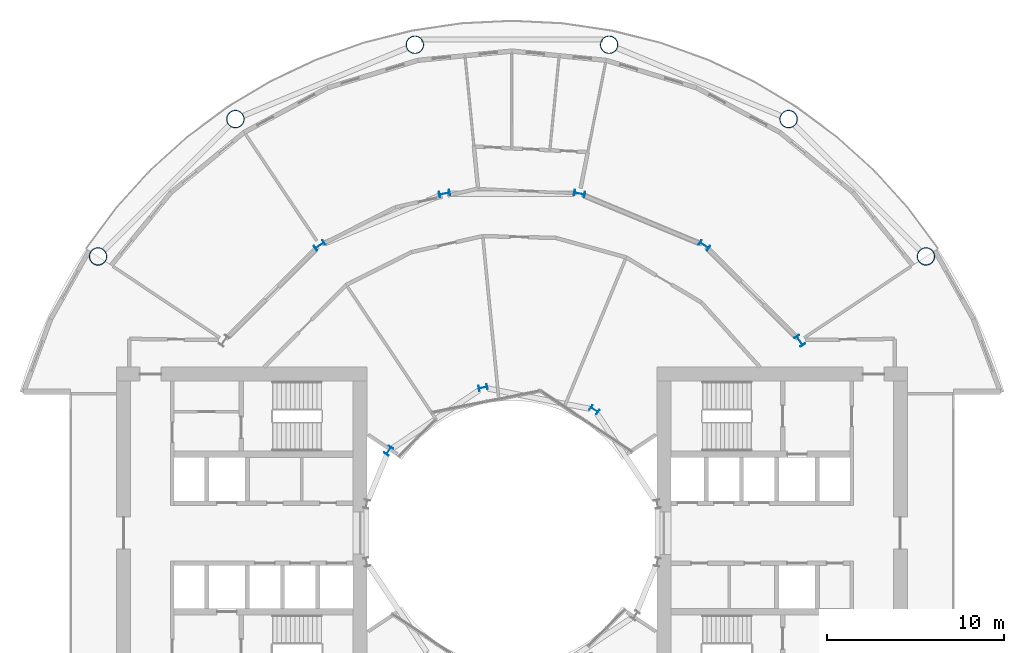
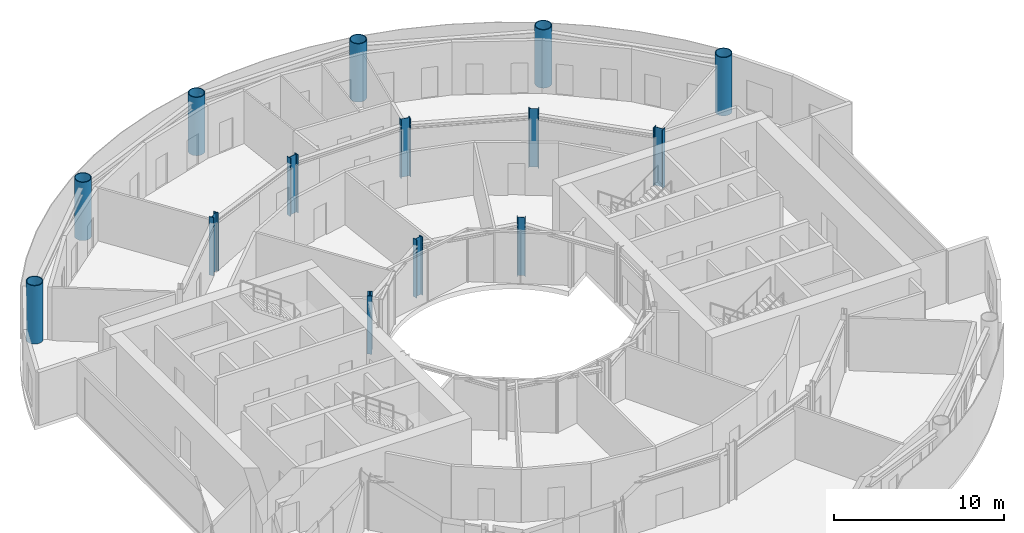
# One storey, part 3 of 19: 14 columns.
"""IFC4 building model written with IfcOpenShell, lengths in metres."""

import ifcopenshell
import ifcopenshell.guid

model = None  # the IFC model being written
_history = None  # IfcOwnerHistory: only IFC2X3 demands one
_inside = {}  # id of a spatial element -> (the spatial element, [elements in it])
_under = {}  # id of a project, library or spatial element -> (it, [spatial elements below it])
_declared = {}  # id of a project -> (the project, [libraries it declares])
_typed = {}  # id of a type object -> (the type object, [elements of that type])
_made_of = {}  # id of a material, layer set ... -> (it, [elements and type objects made of it])


def new_model(schema):
    """Start an empty IFC model of exactly this schema.

    Asked for "IFC4X3", IfcOpenShell would pick the latest addendum, in which some entities
    have other attributes; the version numbers below select the first issue.
    IFC2X3 requires an IfcOwnerHistory on every rooted entity: one is made here for all.
    """
    global model, _history
    if schema == "IFC4X3":
        model = ifcopenshell.file(schema_version=(4, 3, 0, 0))
    else:
        model = ifcopenshell.file(schema=schema)
    _inside.clear()
    _under.clear()
    _declared.clear()
    _typed.clear()
    _made_of.clear()
    _history = None
    if model.schema == "IFC2X3":
        org = make("IfcOrganization", Name="unknown")
        user = make(
            "IfcPersonAndOrganization",
            ThePerson=make("IfcPerson", FamilyName="unknown"),
            TheOrganization=org,
        )
        app = make(
            "IfcApplication",
            ApplicationDeveloper=org,
            Version="unknown",
            ApplicationFullName="unknown",
            ApplicationIdentifier="unknown",
        )
        _history = make(
            "IfcOwnerHistory",
            OwningUser=user,
            OwningApplication=app,
            ChangeAction="ADDED",
            CreationDate=0,
        )
    return model


def make(cls, **values):
    """One entity of the class cls with the attributes given. An attribute that is None is left unset."""
    return model.create_entity(
        cls, **{name: value for name, value in values.items() if value is not None}
    )


def rooted(cls, **values):
    """An entity with a GlobalId (a new one), such as an element, a storey or a relation."""
    return make(cls, GlobalId=ifcopenshell.guid.new(), OwnerHistory=_history, **values)


def si_unit(unit_type, name, prefix=None):
    """IfcSIUnit, for example si_unit("LENGTHUNIT", "METRE", prefix="MILLI")."""
    return make("IfcSIUnit", UnitType=unit_type, Prefix=prefix, Name=name)


def assignment(units):
    """IfcUnitAssignment: the units of a project."""
    return None if units is None else make("IfcUnitAssignment", Units=units)


def point(xyz):
    """IfcCartesianPoint."""
    return None if xyz is None else make("IfcCartesianPoint", Coordinates=xyz)


def direction(xyz):
    """IfcDirection."""
    return None if xyz is None else make("IfcDirection", DirectionRatios=xyz)


def frame(location, z_axis=None, x_axis=None):
    """IfcAxis2Placement3D, a coordinate frame: its origin and axes. An axis left out is left unset."""
    return make(
        "IfcAxis2Placement3D",
        Location=point(location),
        Axis=direction(z_axis),
        RefDirection=direction(x_axis),
    )


def frame_2d(location, x_axis=None):
    """IfcAxis2Placement2D, a coordinate frame in the plane: its origin and x axis."""
    return make(
        "IfcAxis2Placement2D", Location=point(location), RefDirection=direction(x_axis)
    )


def origin():
    """The frame at (0, 0, 0) with its axes left unset."""
    return frame((0.0, 0.0, 0.0))


def origin_2d():
    """The frame at (0, 0) in the plane with its x axis left unset."""
    return frame_2d((0.0, 0.0))


def place(relative_to, where):
    """IfcLocalPlacement: puts the frame where relative to a parent placement (None: the world)."""
    return make(
        "IfcLocalPlacement", PlacementRelTo=relative_to, RelativePlacement=where
    )


def context(
    kind, dimensions, precision=None, world=None, true_north=None, identifier=None
):
    """IfcGeometricRepresentationContext, for example the 3D "Model" context."""
    return make(
        "IfcGeometricRepresentationContext",
        ContextIdentifier=identifier,
        ContextType=kind,
        CoordinateSpaceDimension=dimensions,
        Precision=precision,
        WorldCoordinateSystem=world,
        TrueNorth=true_north,
    )


def subcontext(parent, identifier, kind, view, scale=None):
    """IfcGeometricRepresentationSubContext, for example "Body" below "Model"."""
    return make(
        "IfcGeometricRepresentationSubContext",
        ContextIdentifier=identifier,
        ContextType=kind,
        ParentContext=parent,
        TargetScale=scale,
        TargetView=view,
    )


def project(units=None, contexts=None):
    """IfcProject with its units and contexts."""
    return rooted(
        "IfcProject",
        Name="project",
        RepresentationContexts=contexts,
        UnitsInContext=assignment(units),
    )


def spatial(cls, under=None, at=None, **own):
    """A site, building, storey or space (cls), placed at a placement, below another one or the project."""
    s = rooted(cls, ObjectPlacement=at, **own)
    if under is not None:
        _under.setdefault(under.id(), (under, []))[1].append(s)
    return s


def profile(cls, at=None, kind="AREA", **sizes):
    """A parametric profile (cls). Its sizes go by their IFC names, for example OverallWidth=200.0."""
    return make(cls, ProfileType=kind, Position=at, **sizes)


def hollow_circle(**sizes):
    """IfcCircleHollowProfileDef."""
    return profile("IfcCircleHollowProfileDef", **sizes)


def i_section(**sizes):
    """IfcIShapeProfileDef."""
    return profile("IfcIShapeProfileDef", **sizes)


def extrude(swept, where, along, depth):
    """IfcExtrudedAreaSolid: the profile swept, set in the frame where, extruded along a direction by depth."""
    return make(
        "IfcExtrudedAreaSolid",
        SweptArea=swept,
        Position=where,
        ExtrudedDirection=direction(along),
        Depth=depth,
    )


def shape(context_of_items, identifier, shape_type, items):
    """IfcShapeRepresentation: the items that make up one representation, for example the "Body"."""
    return make(
        "IfcShapeRepresentation",
        ContextOfItems=context_of_items,
        RepresentationIdentifier=identifier,
        RepresentationType=shape_type,
        Items=items,
    )


def material(Name=None, Category=None):
    """IfcMaterial."""
    return make("IfcMaterial", Name=Name, Category=Category)


def material_profile(
    of_material, cross_section, Name=None, Category=None, Priority=None
):
    """IfcMaterialProfile: a cross section and its material."""
    return make(
        "IfcMaterialProfile",
        Name=Name,
        Material=of_material,
        Profile=cross_section,
        Priority=Priority,
        Category=Category,
    )


def profile_set(profiles, Name=None, composite=None):
    """IfcMaterialProfileSet."""
    return make(
        "IfcMaterialProfileSet",
        Name=Name,
        MaterialProfiles=profiles,
        CompositeProfile=composite,
    )


def made_of(thing, what):
    """Note that an element or type object is made of a material, layer set ...; save() writes the relation."""
    if what is not None:
        _made_of.setdefault(what.id(), (what, []))[1].append(thing)
    return thing


def type_object(cls, material=None, **own):
    """A type object (cls), such as IfcWallType, which elements share."""
    return made_of(rooted(cls, **own), material)


def element(
    cls,
    number,
    at=None,
    inside=None,
    cuts=None,
    type_object=None,
    material=None,
    context=None,
    identifier="Body",
    shape_type=None,
    held_by="IfcProductDefinitionShape",
    body=None,
    shapes=None,
    **own,
):
    """One element of the class cls, such as IfcWall. Its Tag is "e" and its number.

    at: its placement. inside: the storey or other place that contains it. cuts: it is an
    opening in that element (IfcRelVoidsElement). A single representation is given by context,
    identifier, shape_type and body (its items); several are given by shapes. held_by: the class
    of the entity that holds the representations. save() writes the other relations.
    """
    e = rooted(cls, Tag="e%d" % number, ObjectPlacement=at, **own)
    if body is not None:
        shapes = [shape(context, identifier, shape_type, body)]
    if shapes is not None:
        e.Representation = make(held_by, Representations=shapes)
    if inside is not None:
        _inside.setdefault(inside.id(), (inside, []))[1].append(e)
    if cuts is not None:
        rooted(
            "IfcRelVoidsElement", RelatingBuildingElement=cuts, RelatedOpeningElement=e
        )
    if type_object is not None:
        _typed.setdefault(type_object.id(), (type_object, []))[1].append(e)
    return made_of(e, material)


def aggregate(whole, parts):
    """IfcRelAggregates: a whole, such as a stair, and the parts it consists of."""
    return rooted("IfcRelAggregates", RelatingObject=whole, RelatedObjects=parts)


def save(model, path):
    """Write the relations noted so far, then the file.

    IfcRelAggregates (storeys below a building ...), IfcRelContainedInSpatialStructure (elements
    in a storey), IfcRelDefinesByType, IfcRelAssociatesMaterial and IfcRelDeclares: one each for
    every whole, place, type object, material and project.
    """
    for whole, parts in _under.values():
        aggregate(whole, parts)
    for where, things in _inside.values():
        rooted(
            "IfcRelContainedInSpatialStructure",
            RelatedElements=things,
            RelatingStructure=where,
        )
    for kind, things in _typed.values():
        rooted("IfcRelDefinesByType", RelatedObjects=things, RelatingType=kind)
    for what, things in _made_of.values():
        rooted("IfcRelAssociatesMaterial", RelatedObjects=things, RelatingMaterial=what)
    for by, libraries in _declared.values():
        rooted("IfcRelDeclares", RelatingContext=by, RelatedDefinitions=libraries)
    model.write(path)


model = new_model("IFC4")

# Units and contexts
model_context = context("Model", 3, precision=1e-05, world=origin(), true_north=direction((0.0, 1.0)))
body_context = subcontext(model_context, "Body", "Model", "MODEL_VIEW")
ifc_project = project(units=[si_unit("LENGTHUNIT", "METRE"), si_unit("AREAUNIT", "SQUARE_METRE"), si_unit("VOLUMEUNIT", "CUBIC_METRE"), si_unit("PLANEANGLEUNIT", "RADIAN"), si_unit("MASSUNIT", "GRAM", prefix="KILO")], contexts=[model_context])

# Site, building, storey
site_placement = place(None, origin())
site = spatial("IfcSite", under=ifc_project, at=site_placement, CompositionType="ELEMENT")
building_placement = place(site_placement, origin())
building = spatial("IfcBuilding", under=site, at=building_placement, Name="Maasbend Ring Residences", CompositionType="ELEMENT")
storey_placement = place(building_placement, frame((0.0, 0.0, 53.300048828125)))
storey = spatial("IfcBuildingStorey", under=building, at=storey_placement, Name="L15", CompositionType="ELEMENT", Elevation=53.300048828125)

# Columns
ifc_material_1 = material(Name="Composite concrete-filled steel tube S460NH / C80/95", Category="concrete")
ifc_material_profile_1 = material_profile(ifc_material_1, hollow_circle(Radius=0.508056640625, WallThickness=0.050048828125, at=origin_2d()), Name="Composite tube column CHS 1016x50")
ifc_profile_set_1 = profile_set([ifc_material_profile_1], Name="Composite concrete-filled steel tube S460NH / C80/95")
column_type_1 = type_object("IfcColumnType", Name="Composite tube column CHS 1016x50", PredefinedType="COLUMN", material=ifc_profile_set_1)
for number, where, z_axis, x_axis, name in (
    (1, (23.447509765625, 15.6669921875, 0.0), (0.0, 0.0, 1.0), (1.0, 0.0, 0.0), "Outer column R2"),
    (2, (15.6669921875, 23.447509765625, 0.0), (0.0, 0.0, 1.0), (1.0, 0.0, 0.0), "Outer column R3"),
    (3, (5.50146484375, 27.658203125, 0.0), (0.0, 0.0, 1.0), (1.0, 0.0, 0.0), "Outer column R4"),
    (4, (-5.50146484375, 27.658203125, 0.0), (0.0, 0.0, 1.0), (1.0, 0.0, 0.0), "Outer column R5"),
    (5, (-15.6669921875, 23.447509765625, 0.0), (0.0, 0.0, 1.0), (1.0, 0.0, 0.0), "Outer column R6"),
    (6, (-23.447509765625, 15.6669921875, 0.0), (0.0, 0.0, 1.0), (1.0, 0.0, 0.0), "Outer column R7"),
):
    element("IfcColumn", number, at=place(storey_placement, frame(where, z_axis=z_axis, x_axis=x_axis)), inside=storey, type_object=column_type_1, Name=name, PredefinedType="COLUMN", context=body_context, shape_type="SweptSolid", body=[
        extrude(hollow_circle(Radius=0.508056640625, WallThickness=0.050048828125, at=origin_2d()), origin(), (0.0, 0.0, 1.0), 4.199951171875),
    ])
ifc_material_2 = material(Name="Steel S355J2", Category="steel")
ifc_material_profile_2 = material_profile(ifc_material_2, i_section(OverallWidth=0.300048828125, OverallDepth=0.5, WebThickness=0.014404296875, FlangeThickness=0.028076171875, FilletRadius=0.027099609375, at=origin_2d()), Name="HEB 500")
ifc_profile_set_2 = profile_set([ifc_material_profile_2], Name="Steel S355J2")
column_type_2 = type_object("IfcColumnType", Name="Steel column HEB 500", PredefinedType="COLUMN", material=ifc_profile_set_2)
for number, where, z_axis, x_axis, name in (
    (7, (4.666748046875, 6.984375, 0.0), (0.0, 0.0, 1.0), (0.55557023302, 0.831469612303, 0.0), "Well ring column R3"),
    (8, (-1.638916015625, 8.238525390625, 0.0), (0.0, 0.0, 1.0), (-0.195090322016, 0.980785280403, 0.0), "Well ring column R5"),
    (9, (-6.984375, 4.666748046875, 0.0), (0.0, 0.0, 1.0), (-0.831469612303, 0.55557023302, 0.0), "Well ring column R7"),
):
    element("IfcColumn", number, at=place(storey_placement, frame(where, z_axis=z_axis, x_axis=x_axis)), inside=storey, type_object=column_type_2, Name=name, PredefinedType="COLUMN", context=body_context, shape_type="SweptSolid", body=[
        extrude(i_section(OverallWidth=0.300048828125, OverallDepth=0.5, WebThickness=0.014404296875, FlangeThickness=0.028076171875, FilletRadius=0.027099609375, at=origin_2d()), origin(), (0.0, 0.0, 1.0), 4.199951171875),
    ])
ifc_material_3 = material(Name="Steel S460M", Category="steel")
ifc_material_profile_3 = material_profile(ifc_material_3, i_section(OverallWidth=0.304931640625, OverallDepth=0.6201171875, WebThickness=0.02099609375, FlangeThickness=0.0400390625, FilletRadius=0.027099609375, at=origin_2d()), Name="HEM 600")
ifc_profile_set_3 = profile_set([ifc_material_profile_3], Name="Steel S460M")
column_type_3 = type_object("IfcColumnType", Name="Steel column HEM 600", PredefinedType="COLUMN", material=ifc_profile_set_3)
for number, where, z_axis, x_axis, name in (
    (10, (16.296875, 10.88916015625, 0.0), (0.0, 0.0, 1.0), (0.831469612303, 0.55557023302, 0.0), "Corridor ring column R2"),
    (11, (10.88916015625, 16.296875, 0.0), (0.0, 0.0, 1.0), (0.55557023302, 0.831469612303, 0.0), "Corridor ring column R3"),
    (12, (3.82373046875, 19.223388671875, 0.0), (0.0, 0.0, 1.0), (0.195090322016, 0.980785280403, 0.0), "Corridor ring column R4"),
    (13, (-3.82373046875, 19.223388671875, 0.0), (0.0, 0.0, 1.0), (-0.195090322016, 0.980785280403, 0.0), "Corridor ring column R5"),
    (14, (-10.88916015625, 16.296875, 0.0), (0.0, 0.0, 1.0), (-0.55557023302, 0.831469612303, 0.0), "Corridor ring column R6"),
):
    element("IfcColumn", number, at=place(storey_placement, frame(where, z_axis=z_axis, x_axis=x_axis)), inside=storey, type_object=column_type_3, Name=name, PredefinedType="COLUMN", context=body_context, shape_type="SweptSolid", body=[
        extrude(i_section(OverallWidth=0.304931640625, OverallDepth=0.6201171875, WebThickness=0.02099609375, FlangeThickness=0.0400390625, FilletRadius=0.027099609375, at=origin_2d()), origin(), (0.0, 0.0, 1.0), 4.199951171875),
    ])

save(model, "model.ifc")
